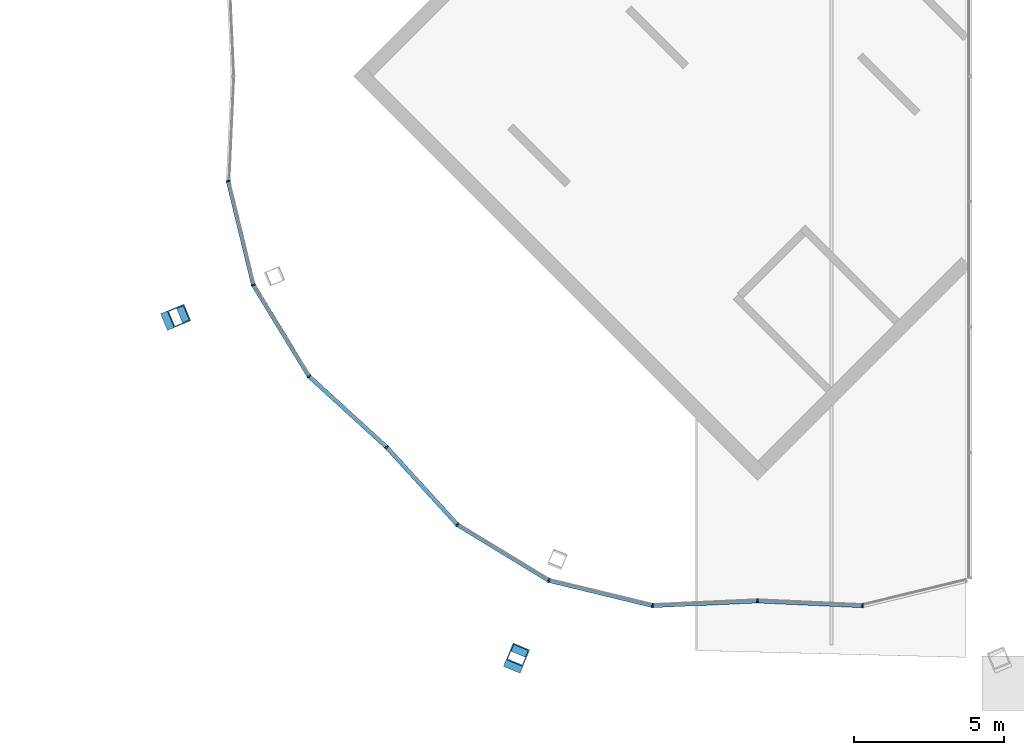
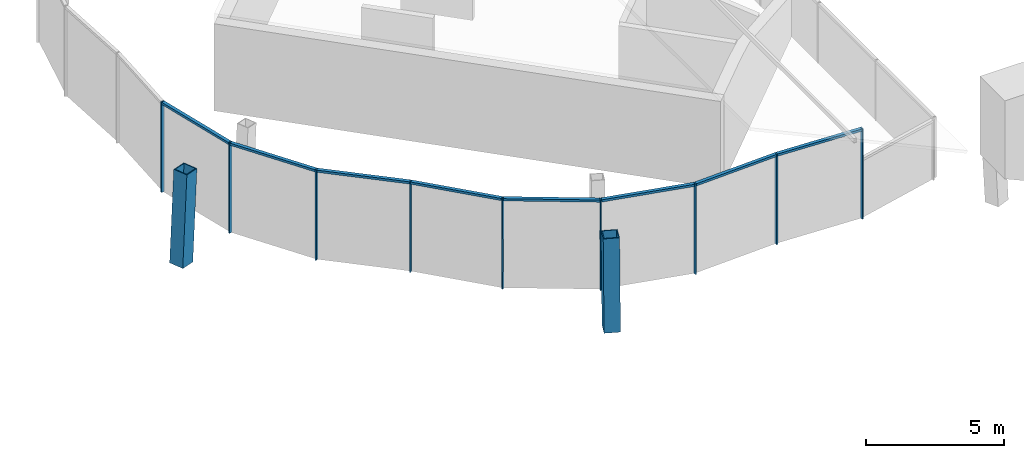
# One storey, part 7 of 14: 19 members, 3 elements without a shape of their own.
"""IFC4 building model written with IfcOpenShell, lengths in metres."""

from ifc_helpers import new_model, si_unit, direction, frame, origin, origin_2d, place, context, subcontext, project, spatial, rectangle, hollow_rectangle, extrude, material, material_profile, profile_set, type_object, element, aggregate, save


model = new_model("IFC4")

# Units and contexts
model_context = context("Model", 3, precision=1e-05, world=origin(), true_north=direction((0.0, 1.0)))
body_context = subcontext(model_context, "Body", "Model", "MODEL_VIEW")
ifc_project = project(units=[si_unit("LENGTHUNIT", "METRE"), si_unit("AREAUNIT", "SQUARE_METRE"), si_unit("VOLUMEUNIT", "CUBIC_METRE"), si_unit("PLANEANGLEUNIT", "RADIAN"), si_unit("MASSUNIT", "GRAM", prefix="KILO")], contexts=[model_context])

# Site, building, storey
site_placement = place(None, origin())
site = spatial("IfcSite", under=ifc_project, at=site_placement, CompositionType="ELEMENT")
building_placement = place(site_placement, origin())
building = spatial("IfcBuilding", under=site, at=building_placement, Name="Ogive Gate Towers", CompositionType="ELEMENT")
storey_placement = place(building_placement, frame((0.0, 0.0, 306.0)))
storey = spatial("IfcBuildingStorey", under=building, at=storey_placement, Name="L72", CompositionType="ELEMENT", Elevation=306.0)

# Curtain wall, members
ifc_material_1 = material(Name="Pale metal aluminium", Category="aluminium")
curtain_wall_type = type_object("IfcCurtainWallType", Name="Crown lean wall", PredefinedType="NOTDEFINED", material=ifc_material_1)
curtain_wall_1_placement = place(storey_placement, origin())
curtain_wall_1 = element("IfcCurtainWall", 1, at=curtain_wall_1_placement, inside=storey, type_object=curtain_wall_type, Name="CW5 T2 ECW05", PredefinedType="NOTDEFINED")
ifc_material_profile_1 = material_profile(ifc_material_1, rectangle(XDim=0.139892578125, YDim=0.050048828125, at=origin_2d()), Name="50 x 140 aluminium box")
ifc_profile_set_1 = profile_set([ifc_material_profile_1], Name="Pale metal aluminium")
member_type_1 = type_object("IfcMemberType", Name="Crown lean wall mullion 50 x 140", PredefinedType="MULLION", material=ifc_profile_set_1)
member_1_placement = place(storey_placement, frame((23.661865234375, -12.340087890625, -0.300048828125), z_axis=(0.0, 0.0, 1.0), x_axis=(0.674353939849, 0.738408263639, 0.0)))
member_1 = element("IfcMember", 2, at=member_1_placement, type_object=member_type_1, Name="CW5 mullion", PredefinedType="MULLION", context=body_context, shape_type="SweptSolid", body=[
    extrude(rectangle(XDim=0.139892578125, YDim=0.050048828125, at=origin_2d()), origin(), (0.0, 0.0, 1.0), 4.0),
])
member_2_placement = place(storey_placement, frame((21.08203125, -9.983642578125, -0.300048828125), z_axis=(0.0, 0.0, 1.0), x_axis=(0.771835472483, 0.635822304907, 0.0)))
member_2 = element("IfcMember", 3, at=member_2_placement, type_object=member_type_1, Name="CW5 mullion", PredefinedType="MULLION", context=body_context, shape_type="SweptSolid", body=[
    extrude(rectangle(XDim=0.139892578125, YDim=0.050048828125, at=origin_2d()), origin(), (0.0, 0.0, 1.0), 4.0),
])
member_3_placement = place(storey_placement, frame((19.23046875, -6.9462890625, -0.300048828125), z_axis=(0.0, 0.0, 1.0), x_axis=(0.923886211456, 0.382667307567, 0.0)))
member_3 = element("IfcMember", 4, at=member_3_placement, type_object=member_type_1, Name="CW5 mullion", PredefinedType="MULLION", context=body_context, shape_type="SweptSolid", body=[
    extrude(rectangle(XDim=0.139892578125, YDim=0.050048828125, at=origin_2d()), origin(), (0.0, 0.0, 1.0), 4.0),
])
member_4_placement = place(storey_placement, frame((18.39208984375, -3.489013671875, -0.300048828125), z_axis=(0.0, 0.0, 1.0), x_axis=(0.995366038416, 0.096158460724, 0.0)))
member_4 = element("IfcMember", 5, at=member_4_placement, type_object=member_type_1, Name="CW5 mullion", PredefinedType="MULLION", context=body_context, shape_type="SweptSolid", body=[
    extrude(rectangle(XDim=0.139892578125, YDim=0.050048828125, at=origin_2d()), origin(), (0.0, 0.0, 1.0), 4.0),
])

curtain_wall_2_placement = place(storey_placement, origin())
curtain_wall_2 = element("IfcCurtainWall", 6, at=curtain_wall_2_placement, inside=storey, type_object=curtain_wall_type, Name="CW5 T2 ECW06", PredefinedType="NOTDEFINED")
member_5_placement = place(storey_placement, frame((36.00146484375, -17.4501953125, -0.300048828125), z_axis=(0.0, 0.0, 1.0), x_axis=(-0.045275811329, 0.998974524654, 0.0)))
member_5 = element("IfcMember", 7, at=member_5_placement, type_object=member_type_1, Name="CW5 mullion", PredefinedType="MULLION", context=body_context, shape_type="SweptSolid", body=[
    extrude(rectangle(XDim=0.139892578125, YDim=0.050048828125, at=origin_2d()), origin(), (0.0, 0.0, 1.0), 4.0),
])
member_6_placement = place(storey_placement, frame((32.510986328125, -17.60791015625, -0.300048828125), z_axis=(0.0, 0.0, 1.0), x_axis=(0.096158460724, 0.995366038416, 0.0)))
member_6 = element("IfcMember", 8, at=member_6_placement, type_object=member_type_1, Name="CW5 mullion", PredefinedType="MULLION", context=body_context, shape_type="SweptSolid", body=[
    extrude(rectangle(XDim=0.139892578125, YDim=0.050048828125, at=origin_2d()), origin(), (0.0, 0.0, 1.0), 4.0),
])
member_7_placement = place(storey_placement, frame((29.0537109375, -16.76953125, -0.300048828125), z_axis=(0.0, 0.0, 1.0), x_axis=(0.382667307567, 0.923886211456, 0.0)))
member_7 = element("IfcMember", 9, at=member_7_placement, type_object=member_type_1, Name="CW5 mullion", PredefinedType="MULLION", context=body_context, shape_type="SweptSolid", body=[
    extrude(rectangle(XDim=0.139892578125, YDim=0.050048828125, at=origin_2d()), origin(), (0.0, 0.0, 1.0), 4.0),
])
member_8_placement = place(storey_placement, frame((26.016357421875, -14.91796875, -0.300048828125), z_axis=(0.0, 0.0, 1.0), x_axis=(0.635822304907, 0.771835472483, 0.0)))
member_8 = element("IfcMember", 10, at=member_8_placement, type_object=member_type_1, Name="CW5 mullion", PredefinedType="MULLION", context=body_context, shape_type="SweptSolid", body=[
    extrude(rectangle(XDim=0.139892578125, YDim=0.050048828125, at=origin_2d()), origin(), (0.0, 0.0, 1.0), 4.0),
])

# Curtain wall, member
curtain_wall_3_placement = place(storey_placement, origin())
curtain_wall_3 = element("IfcCurtainWall", 11, at=curtain_wall_3_placement, inside=storey, type_object=curtain_wall_type, Name="CW5 T2 ECW07", PredefinedType="NOTDEFINED")
member_9_placement = place(storey_placement, frame((39.489013671875, -17.60791015625, -0.300048828125), z_axis=(0.0, 0.0, 1.0), x_axis=(-0.096158460724, 0.995366038416, 0.0)))
member_9 = element("IfcMember", 12, at=member_9_placement, type_object=member_type_1, Name="CW5 mullion", PredefinedType="MULLION", context=body_context, shape_type="SweptSolid", body=[
    extrude(rectangle(XDim=0.139892578125, YDim=0.050048828125, at=origin_2d()), origin(), (0.0, 0.0, 1.0), 4.0),
])

# Member
ifc_material_profile_2 = material_profile(ifc_material_1, rectangle(XDim=0.139892578125, YDim=0.10009765625, at=origin_2d()), Name="100 x 140 aluminium box")
ifc_profile_set_2 = profile_set([ifc_material_profile_2], Name="Pale metal aluminium")
member_type_2 = type_object("IfcMemberType", Name="Crown lean wall transom 100 x 140", PredefinedType="USERDEFINED", material=ifc_profile_set_2)
member_10_placement = place(storey_placement, frame((23.643310546875, -12.3232421875, 3.64990234375), z_axis=(-0.738357944361, 0.674409034636, 0.0), x_axis=(-0.674409034636, -0.738357944361, 0.0)))
member_10 = element("IfcMember", 13, at=member_10_placement, type_object=member_type_2, Name="CW5 transom", ObjectType="TRANSOM", PredefinedType="USERDEFINED", context=body_context, shape_type="SweptSolid", body=[
    extrude(rectangle(XDim=0.139892578125, YDim=0.10009765625, at=origin_2d()), origin(), (0.0, 0.0, 1.0), 3.439697265625),
])

member_11_placement = place(storey_placement, frame((21.066650390625, -9.958740234375, 3.64990234375), z_axis=(-0.520537938613, 0.853838541215, 0.0), x_axis=(-0.853838541215, -0.520537938613, 0.0)))
member_11 = element("IfcMember", 14, at=member_11_placement, type_object=member_type_2, Name="CW5 transom", ObjectType="TRANSOM", PredefinedType="USERDEFINED", context=body_context, shape_type="SweptSolid", body=[
    extrude(rectangle(XDim=0.139892578125, YDim=0.10009765625, at=origin_2d()), origin(), (0.0, 0.0, 1.0), 3.498291015625),
])

member_12_placement = place(storey_placement, frame((19.22314453125, -6.91748046875, 3.64990234375), z_axis=(-0.235665937055, 0.971834124793, 0.0), x_axis=(-0.971834124793, -0.235665937055, 0.0)))
member_12 = element("IfcMember", 15, at=member_12_placement, type_object=member_type_2, Name="CW5 transom", ObjectType="TRANSOM", PredefinedType="USERDEFINED", context=body_context, shape_type="SweptSolid", body=[
    extrude(rectangle(XDim=0.139892578125, YDim=0.10009765625, at=origin_2d()), origin(), (0.0, 0.0, 1.0), 3.49853515625),
])

aggregate(curtain_wall_1, [member_1, member_2, member_10, member_3, member_11, member_4, member_12])

member_13_placement = place(storey_placement, frame((35.976318359375, -17.451171875, 3.64990234375), z_axis=(-0.998974239594, -0.045282100523, 0.0), x_axis=(0.045282100523, -0.998974239594, 0.0)))
member_13 = element("IfcMember", 16, at=member_13_placement, type_object=member_type_2, Name="CW5 transom", ObjectType="TRANSOM", PredefinedType="USERDEFINED", context=body_context, shape_type="SweptSolid", body=[
    extrude(rectangle(XDim=0.139892578125, YDim=0.10009765625, at=origin_2d()), origin(), (0.0, 0.0, 1.0), 3.439697265625),
])

member_14_placement = place(storey_placement, frame((32.482421875, -17.601318359375, 3.64990234375), z_axis=(-0.971834124793, 0.235665937055, 0.0), x_axis=(-0.235665937055, -0.971834124793, 0.0)))
member_14 = element("IfcMember", 17, at=member_14_placement, type_object=member_type_2, Name="CW5 transom", ObjectType="TRANSOM", PredefinedType="USERDEFINED", context=body_context, shape_type="SweptSolid", body=[
    extrude(rectangle(XDim=0.139892578125, YDim=0.10009765625, at=origin_2d()), origin(), (0.0, 0.0, 1.0), 3.49853515625),
])

member_15_placement = place(storey_placement, frame((29.0283203125, -16.75439453125, 3.64990234375), z_axis=(-0.853838541215, 0.520537938613, 0.0), x_axis=(-0.520537938613, -0.853838541215, 0.0)))
member_15 = element("IfcMember", 18, at=member_15_placement, type_object=member_type_2, Name="CW5 transom", ObjectType="TRANSOM", PredefinedType="USERDEFINED", context=body_context, shape_type="SweptSolid", body=[
    extrude(rectangle(XDim=0.139892578125, YDim=0.10009765625, at=origin_2d()), origin(), (0.0, 0.0, 1.0), 3.498291015625),
])

member_16_placement = place(storey_placement, frame((25.99658203125, -14.896484375, 3.64990234375), z_axis=(-0.674409034636, 0.738357944361, 0.0), x_axis=(-0.738357944361, -0.674409034636, 0.0)))
member_16 = element("IfcMember", 19, at=member_16_placement, type_object=member_type_2, Name="CW5 transom", ObjectType="TRANSOM", PredefinedType="USERDEFINED", context=body_context, shape_type="SweptSolid", body=[
    extrude(rectangle(XDim=0.139892578125, YDim=0.10009765625, at=origin_2d()), origin(), (0.0, 0.0, 1.0), 3.439697265625),
])

aggregate(curtain_wall_2, [member_5, member_6, member_13, member_7, member_14, member_8, member_15, member_16])

member_17_placement = place(storey_placement, frame((39.4599609375, -17.60693359375, 3.64990234375), z_axis=(-0.998974239594, 0.045282100523, 0.0), x_axis=(-0.045282100523, -0.998974239594, 0.0)))
member_17 = element("IfcMember", 20, at=member_17_placement, type_object=member_type_2, Name="CW5 transom", ObjectType="TRANSOM", PredefinedType="USERDEFINED", context=body_context, shape_type="SweptSolid", body=[
    extrude(rectangle(XDim=0.139892578125, YDim=0.10009765625, at=origin_2d()), origin(), (0.0, 0.0, 1.0), 3.439697265625),
])

aggregate(curtain_wall_3, [member_9, member_17])

# Members
ifc_material_2 = material(Name="Steel SM460", Category="steel")
ifc_material_profile_3 = material_profile(ifc_material_2, hollow_rectangle(XDim=0.60009765625, YDim=0.60009765625, WallThickness=0.0400390625, at=origin_2d()), Name="BX 600x600x40")
ifc_profile_set_3 = profile_set([ifc_material_profile_3], Name="Steel SM460")
member_type_3 = type_object("IfcMemberType", Name="Crown rib BX 600x600x40", PredefinedType="MEMBER", material=ifc_profile_set_3)
for number, where, z_axis, x_axis, name in (
    (21, (16.532958984375, -8.0634765625, 0.0), (0.056352410126, 0.023332943868, 0.998138256758), (-0.382557636574, 0.923931628801, 0.0), "T2/L72/STR004"),
    (22, (27.9365234375, -19.467041015625, 0.0), (0.023332943868, 0.056352410126, 0.998138256758), (-0.923931628801, 0.382557636574, 0.0), "T2/L72/STR005"),
):
    element("IfcMember", number, at=place(storey_placement, frame(where, z_axis=z_axis, x_axis=x_axis)), inside=storey, type_object=member_type_3, Name=name, PredefinedType="MEMBER", context=body_context, shape_type="SweptSolid", body=[
        extrude(hollow_rectangle(XDim=0.60009765625, YDim=0.60009765625, WallThickness=0.0400390625, at=origin_2d()), origin(), (0.0, 0.0, 1.0), 4.007568359375),
    ])

save(model, "model.ifc")
